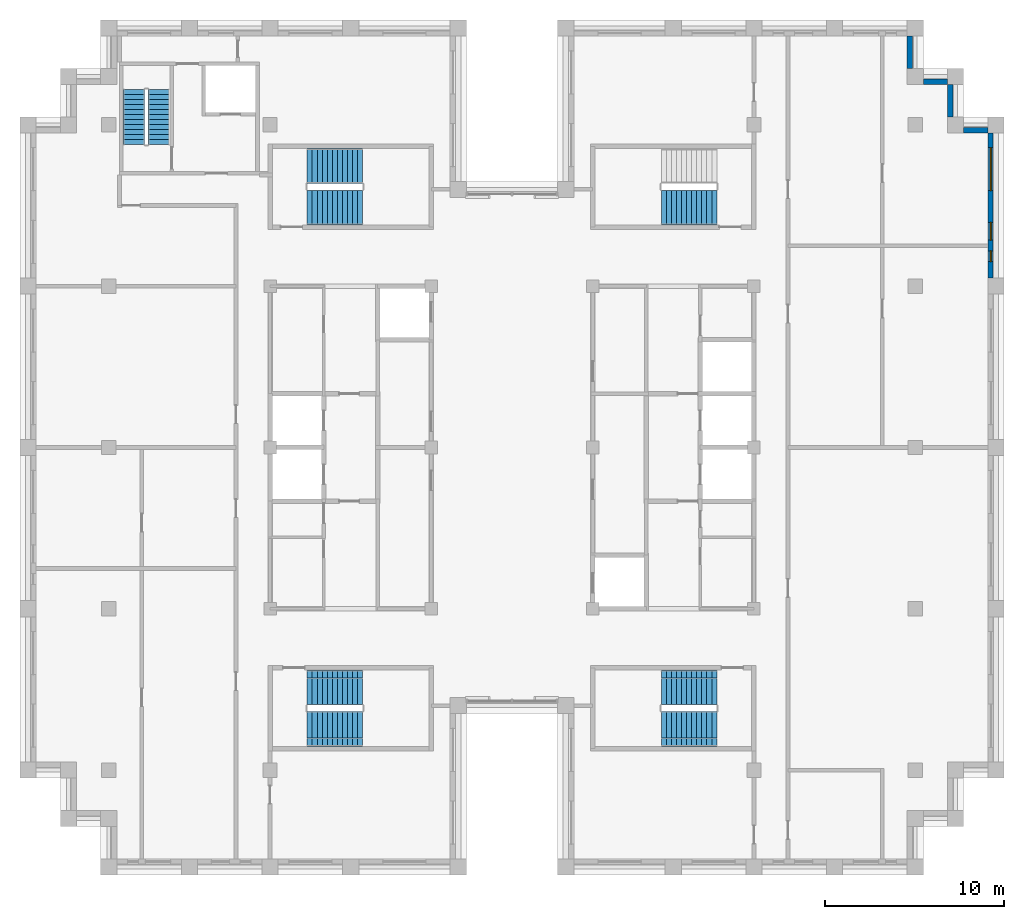
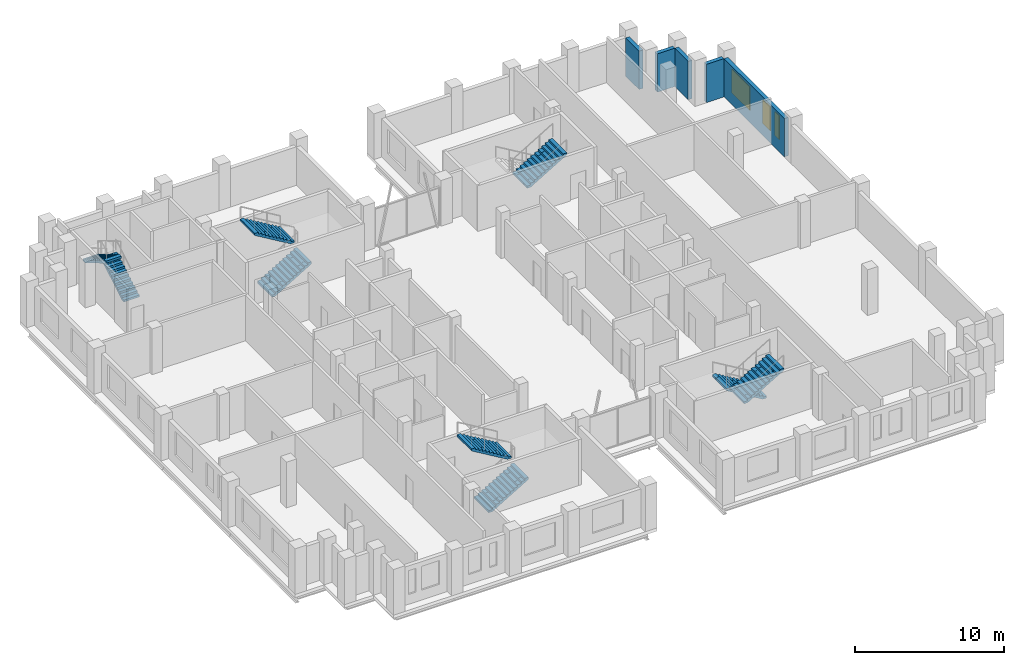
# One storey, part 11 of 13: 9 stair flights, 5 walls, 3 windows, 3 openings, 5 elements without a shape of their own.
"""IFC4 building model written with IfcOpenShell, lengths in metres."""

from ifc_helpers import new_model, si_unit, direction, frame, frame_2d, origin, place, context, subcontext, project, spatial, polyline, rectangle, outline, extrude, material, layer, layer_set, type_object, element, fill, aggregate, save


model = new_model("IFC4")

# Units and contexts
model_context = context("Model", 3, precision=1e-05, world=origin(), true_north=direction((0.0, 1.0)))
body_context = subcontext(model_context, "Body", "Model", "MODEL_VIEW")
ifc_project = project(units=[si_unit("LENGTHUNIT", "METRE"), si_unit("AREAUNIT", "SQUARE_METRE"), si_unit("VOLUMEUNIT", "CUBIC_METRE"), si_unit("PLANEANGLEUNIT", "RADIAN"), si_unit("MASSUNIT", "GRAM", prefix="KILO")], contexts=[model_context])

# Site, building, storey
site_placement = place(None, origin())
site = spatial("IfcSite", under=ifc_project, at=site_placement, CompositionType="ELEMENT")
building_placement = place(site_placement, origin())
building = spatial("IfcBuilding", under=site, at=building_placement, Name="Corbelhall Arena Tower", CompositionType="ELEMENT")
storey_placement = place(building_placement, frame((0.0, 0.0, 312.0)))
storey = spatial("IfcBuildingStorey", under=building, at=storey_placement, Name="L68", CompositionType="ELEMENT", Elevation=312.0)

# Wall, openings, windows
ifc_material_1 = material(Name="Precast concrete C40/50 with granite facing", Category="masonry")
ifc_layer = layer(ifc_material_1, 0.300048828125)
ifc_layer_set = layer_set([ifc_layer], Name="EV-IW1 Infill panel 300")
wall_type = type_object("IfcWallType", Name="EV-IW1 Infill panel 300", PredefinedType="SOLIDWALL", material=ifc_layer_set)
wall_1_placement = place(storey_placement, frame((26.699951171875, 9.449951171875, 0.0), z_axis=(0.0, 0.0, 1.0), x_axis=(0.0, 1.0, 0.0)))
wall_1 = element("IfcWall", 1, at=wall_1_placement, inside=storey, type_object=wall_type, Name="Infill panel IW1", PredefinedType="SOLIDWALL", context=body_context, shape_type="SweptSolid", body=[
    extrude(rectangle(XDim=8.10009765625, YDim=0.300048828125, at=frame_2d((4.050048828125, 0.0))), origin(), (0.0, 0.0, 1.0), 3.139892578125),
])
opening_1_placement = place(wall_1_placement, frame((4.875, 0.0, 0.800048828125)))
opening_1 = element("IfcOpeningElement", 2, at=opening_1_placement, cuts=wall_1, Name="Opening WN1", PredefinedType="OPENING", context=body_context, shape_type="SweptSolid", body=[
    extrude(rectangle(XDim=2.39990234375, YDim=1.949951171875, at=frame_2d((1.199951171875, 0.97509765625))), frame((0.0, 0.14990234375, 0.0), z_axis=(0.0, -1.0, 0.0), x_axis=(1.0, 0.0, 0.0)), (0.0, 0.0, 1.0), 0.300048828125),
])
opening_2_placement = place(wall_1_placement, frame((0.91259765625, 0.0, 0.800048828125)))
opening_2 = element("IfcOpeningElement", 3, at=opening_2_placement, cuts=wall_1, Name="Opening WN5", PredefinedType="OPENING", context=body_context, shape_type="SweptSolid", body=[
    extrude(rectangle(XDim=0.60009765625, YDim=1.949951171875, at=frame_2d((0.300048828125, 0.97509765625))), frame((0.0, 0.14990234375, 0.0), z_axis=(0.0, -1.0, 0.0), x_axis=(1.0, 0.0, 0.0)), (0.0, 0.0, 1.0), 0.300048828125),
])
opening_3_placement = place(wall_1_placement, frame((2.112548828125, 0.0, 0.800048828125)))
opening_3 = element("IfcOpeningElement", 4, at=opening_3_placement, cuts=wall_1, Name="Opening WN6", PredefinedType="OPENING", context=body_context, shape_type="SweptSolid", body=[
    extrude(rectangle(XDim=1.0, YDim=1.949951171875, at=frame_2d((0.5, 0.97509765625))), frame((0.0, 0.14990234375, 0.0), z_axis=(0.0, -1.0, 0.0), x_axis=(1.0, 0.0, 0.0)), (0.0, 0.0, 1.0), 0.300048828125),
])
ifc_material_2 = material(Name="Aluminium black anodised", Category="aluminium")
window_type_1 = type_object("IfcWindowType", Name="EV-WN1 Office window", PartitioningType="SINGLE_PANEL", PredefinedType="WINDOW", material=ifc_material_2)
window_1_placement = place(opening_1_placement, origin())
window_1 = element("IfcWindow", 5, at=window_1_placement, inside=storey, type_object=window_type_1, Name="Window WN1", OverallHeight=1.949951171875, OverallWidth=2.39990234375, PartitioningType="SINGLE_PANEL", PredefinedType="WINDOW", context=body_context, shape_type="SweptSolid", body=[
    extrude(rectangle(XDim=2.39990234375, YDim=1.949951171875, at=frame_2d((1.199951171875, 0.97509765625))), frame((0.0, 0.030029296875, 0.0), z_axis=(0.0, -1.0, 0.0), x_axis=(1.0, 0.0, 0.0)), (0.0, 0.0, 1.0), 0.06005859375),
])
fill(opening_1, window_1)
window_type_2 = type_object("IfcWindowType", Name="EV-WN5 Office window 600", PartitioningType="SINGLE_PANEL", PredefinedType="WINDOW", material=ifc_material_2)
window_2_placement = place(opening_2_placement, origin())
window_2 = element("IfcWindow", 6, at=window_2_placement, inside=storey, type_object=window_type_2, Name="Window WN5", OverallHeight=1.949951171875, OverallWidth=0.60009765625, PartitioningType="SINGLE_PANEL", PredefinedType="WINDOW", context=body_context, shape_type="SweptSolid", body=[
    extrude(rectangle(XDim=0.60009765625, YDim=1.949951171875, at=frame_2d((0.300048828125, 0.97509765625))), frame((0.0, 0.030029296875, 0.0), z_axis=(0.0, -1.0, 0.0), x_axis=(1.0, 0.0, 0.0)), (0.0, 0.0, 1.0), 0.06005859375),
])
fill(opening_2, window_2)
window_type_3 = type_object("IfcWindowType", Name="EV-WN6 Office window 1000", PartitioningType="SINGLE_PANEL", PredefinedType="WINDOW", material=ifc_material_2)
window_3_placement = place(opening_3_placement, origin())
window_3 = element("IfcWindow", 7, at=window_3_placement, inside=storey, type_object=window_type_3, Name="Window WN6", OverallHeight=1.949951171875, OverallWidth=1.0, PartitioningType="SINGLE_PANEL", PredefinedType="WINDOW", context=body_context, shape_type="SweptSolid", body=[
    extrude(rectangle(XDim=1.0, YDim=1.949951171875, at=frame_2d((0.5, 0.97509765625))), frame((0.0, 0.030029296875, 0.0), z_axis=(0.0, -1.0, 0.0), x_axis=(1.0, 0.0, 0.0)), (0.0, 0.0, 1.0), 0.06005859375),
])
fill(opening_3, window_3)

# Walls
wall_2_placement = place(storey_placement, frame((26.550048828125, 17.699951171875, 0.0), z_axis=(0.0, 0.0, 1.0), x_axis=(-1.0, 0.0, 0.0)))
element("IfcWall", 8, at=wall_2_placement, inside=storey, type_object=wall_type, Name="Infill panel IW1", PredefinedType="SOLIDWALL", context=body_context, shape_type="SweptSolid", body=[
    extrude(rectangle(XDim=1.35009765625, YDim=0.300048828125, at=frame_2d((0.675048828125, 0.0))), origin(), (0.0, 0.0, 1.0), 3.139892578125),
])
wall_3_placement = place(storey_placement, frame((24.449951171875, 18.449951171875, 0.0), z_axis=(0.0, 0.0, 1.0), x_axis=(0.0, 1.0, 0.0)))
element("IfcWall", 9, at=wall_3_placement, inside=storey, type_object=wall_type, Name="Infill panel IW1", PredefinedType="SOLIDWALL", context=body_context, shape_type="SweptSolid", body=[
    extrude(rectangle(XDim=1.800048828125, YDim=0.300048828125, at=frame_2d((0.89990234375, 0.0))), origin(), (0.0, 0.0, 1.0), 3.139892578125),
])
wall_4_placement = place(storey_placement, frame((24.300048828125, 20.39990234375, 0.0), z_axis=(0.0, 0.0, 1.0), x_axis=(-1.0, 0.0, 0.0)))
element("IfcWall", 10, at=wall_4_placement, inside=storey, type_object=wall_type, Name="Infill panel IW1", PredefinedType="SOLIDWALL", context=body_context, shape_type="SweptSolid", body=[
    extrude(rectangle(XDim=1.35009765625, YDim=0.300048828125, at=frame_2d((0.675048828125, 0.0))), origin(), (0.0, 0.0, 1.0), 3.139892578125),
])
wall_5_placement = place(storey_placement, frame((22.199951171875, 21.14990234375, 0.0), z_axis=(0.0, 0.0, 1.0), x_axis=(0.0, 1.0, 0.0)))
element("IfcWall", 11, at=wall_5_placement, inside=storey, type_object=wall_type, Name="Infill panel IW1", PredefinedType="SOLIDWALL", context=body_context, shape_type="SweptSolid", body=[
    extrude(rectangle(XDim=1.800048828125, YDim=0.300048828125, at=frame_2d((0.89990234375, 0.0))), origin(), (0.0, 0.0, 1.0), 3.139892578125),
])

# Stair, stair flights
ifc_material_3 = material(Name="Concrete C40/50", Category="concrete")
stair_type = type_object("IfcStairType", Name="IN-ST-TOWER", PredefinedType="HALF_TURN_STAIR", material=ifc_material_3)
stair_1_placement = place(storey_placement, origin())
stair_1 = element("IfcStair", 12, at=stair_1_placement, inside=storey, type_object=stair_type, Name="L68 Exit stair ST1", PredefinedType="HALF_TURN_STAIR")
stair_flight_type = type_object("IfcStairFlightType", Name="IN-SFL-RC", PredefinedType="STRAIGHT", material=ifc_material_3)
stair_flight_1_placement = place(storey_placement, frame((-11.425048828125, 13.39990234375, 0.0), z_axis=(0.0, 0.0, 1.0), x_axis=(1.0, 0.0, 0.0)))
stair_flight_1 = element("IfcStairFlight", 13, at=stair_flight_1_placement, type_object=stair_flight_type, Name="ST1 flight 1", NumberOfRisers=12, NumberOfTreads=11, PredefinedType="STRAIGHT", RiserHeight=0.166666667, TreadLength=0.28, context=body_context, shape_type="SweptSolid", body=[
    extrude(outline(polyline([(0.0, 0.0), (0.0, 0.166748046875), (0.280029296875, 0.166748046875), (0.280029296875, 0.333251953125), (0.56005859375, 0.333251953125), (0.56005859375, 0.5), (0.840087890625, 0.5), (0.840087890625, 0.666748046875), (1.1201171875, 0.666748046875), (1.1201171875, 0.833251953125), (1.39990234375, 0.833251953125), (1.39990234375, 1.0), (1.679931640625, 1.0), (1.679931640625, 1.166748046875), (1.9599609375, 1.166748046875), (1.9599609375, 1.333251953125), (2.239990234375, 1.333251953125), (2.239990234375, 1.5), (2.52001953125, 1.5), (2.52001953125, 1.666748046875), (2.800048828125, 1.666748046875), (2.800048828125, 1.833251953125), (3.080078125, 1.833251953125), (3.080078125, 2.0), (3.080078125, 1.658935546875), (0.29296875, 0.0), (0.0, 0.0)])), frame((0.0, 0.97509765625, 0.0), z_axis=(0.0, -1.0, 0.0), x_axis=(1.0, 0.0, 0.0)), (0.0, 0.0, 1.0), 0.449951171875),
    extrude(outline(polyline([(0.0, 0.0), (0.0, 0.166748046875), (0.280029296875, 0.166748046875), (0.280029296875, 0.333251953125), (0.56005859375, 0.333251953125), (0.56005859375, 0.5), (0.840087890625, 0.5), (0.840087890625, 0.666748046875), (1.1201171875, 0.666748046875), (1.1201171875, 0.833251953125), (1.39990234375, 0.833251953125), (1.39990234375, 1.0), (1.679931640625, 1.0), (1.679931640625, 1.166748046875), (1.9599609375, 1.166748046875), (1.9599609375, 1.333251953125), (2.239990234375, 1.333251953125), (2.239990234375, 1.5), (2.52001953125, 1.5), (2.52001953125, 1.666748046875), (2.800048828125, 1.666748046875), (2.800048828125, 1.833251953125), (3.080078125, 1.833251953125), (3.080078125, 2.0), (3.080078125, 1.658935546875), (0.29296875, 0.0), (0.0, 0.0)])), frame((0.0, 0.52099609375, 0.0), z_axis=(0.0, -1.0, 0.0), x_axis=(1.0, 0.0, 0.0)), (0.0, 0.0, 1.0), 1.0419921875),
    extrude(outline(polyline([(0.0, 0.0), (0.0, 0.166748046875), (0.280029296875, 0.166748046875), (0.280029296875, 0.333251953125), (0.56005859375, 0.333251953125), (0.56005859375, 0.5), (0.840087890625, 0.5), (0.840087890625, 0.666748046875), (1.1201171875, 0.666748046875), (1.1201171875, 0.833251953125), (1.39990234375, 0.833251953125), (1.39990234375, 1.0), (1.679931640625, 1.0), (1.679931640625, 1.166748046875), (1.9599609375, 1.166748046875), (1.9599609375, 1.333251953125), (2.239990234375, 1.333251953125), (2.239990234375, 1.5), (2.52001953125, 1.5), (2.52001953125, 1.666748046875), (2.800048828125, 1.666748046875), (2.800048828125, 1.833251953125), (3.080078125, 1.833251953125), (3.080078125, 2.0), (3.080078125, 1.658935546875), (0.29296875, 0.0), (0.0, 0.0)])), frame((0.0, -0.52490234375, 0.0), z_axis=(0.0, -1.0, 0.0), x_axis=(1.0, 0.0, 0.0)), (0.0, 0.0, 1.0), 0.449951171875),
])
stair_flight_2_placement = place(storey_placement, frame((-8.344970703125, 15.699951171875, 2.0), z_axis=(0.0, 0.0, 1.0), x_axis=(-1.0, 0.0, 0.0)))
stair_flight_2 = element("IfcStairFlight", 14, at=stair_flight_2_placement, type_object=stair_flight_type, Name="ST1 flight 2", NumberOfRisers=12, NumberOfTreads=11, PredefinedType="STRAIGHT", RiserHeight=0.166666667, TreadLength=0.28, context=body_context, shape_type="SweptSolid", body=[
    extrude(outline(polyline([(0.0, 0.0), (0.0, 0.166748046875), (0.280029296875, 0.166748046875), (0.280029296875, 0.333251953125), (0.56005859375, 0.333251953125), (0.56005859375, 0.5), (0.840087890625, 0.5), (0.840087890625, 0.666748046875), (1.1201171875, 0.666748046875), (1.1201171875, 0.833251953125), (1.39990234375, 0.833251953125), (1.39990234375, 1.0), (1.679931640625, 1.0), (1.679931640625, 1.166748046875), (1.9599609375, 1.166748046875), (1.9599609375, 1.333251953125), (2.239990234375, 1.333251953125), (2.239990234375, 1.5), (2.52001953125, 1.5), (2.52001953125, 1.666748046875), (2.800048828125, 1.666748046875), (2.800048828125, 1.833251953125), (3.080078125, 1.833251953125), (3.080078125, 2.0), (3.080078125, 1.658935546875), (0.29296875, 0.0), (0.0, 0.0)])), frame((0.0, 0.97509765625, 0.0), z_axis=(0.0, -1.0, 0.0), x_axis=(1.0, 0.0, 0.0)), (0.0, 0.0, 1.0), 0.449951171875),
    extrude(outline(polyline([(0.0, 0.0), (0.0, 0.166748046875), (0.280029296875, 0.166748046875), (0.280029296875, 0.333251953125), (0.56005859375, 0.333251953125), (0.56005859375, 0.5), (0.840087890625, 0.5), (0.840087890625, 0.666748046875), (1.1201171875, 0.666748046875), (1.1201171875, 0.833251953125), (1.39990234375, 0.833251953125), (1.39990234375, 1.0), (1.679931640625, 1.0), (1.679931640625, 1.166748046875), (1.9599609375, 1.166748046875), (1.9599609375, 1.333251953125), (2.239990234375, 1.333251953125), (2.239990234375, 1.5), (2.52001953125, 1.5), (2.52001953125, 1.666748046875), (2.800048828125, 1.666748046875), (2.800048828125, 1.833251953125), (3.080078125, 1.833251953125), (3.080078125, 2.0), (3.080078125, 1.658935546875), (0.29296875, 0.0), (0.0, 0.0)])), frame((0.0, 0.52099609375, 0.0), z_axis=(0.0, -1.0, 0.0), x_axis=(1.0, 0.0, 0.0)), (0.0, 0.0, 1.0), 1.0419921875),
    extrude(outline(polyline([(0.0, 0.0), (0.0, 0.166748046875), (0.280029296875, 0.166748046875), (0.280029296875, 0.333251953125), (0.56005859375, 0.333251953125), (0.56005859375, 0.5), (0.840087890625, 0.5), (0.840087890625, 0.666748046875), (1.1201171875, 0.666748046875), (1.1201171875, 0.833251953125), (1.39990234375, 0.833251953125), (1.39990234375, 1.0), (1.679931640625, 1.0), (1.679931640625, 1.166748046875), (1.9599609375, 1.166748046875), (1.9599609375, 1.333251953125), (2.239990234375, 1.333251953125), (2.239990234375, 1.5), (2.52001953125, 1.5), (2.52001953125, 1.666748046875), (2.800048828125, 1.666748046875), (2.800048828125, 1.833251953125), (3.080078125, 1.833251953125), (3.080078125, 2.0), (3.080078125, 1.658935546875), (0.29296875, 0.0), (0.0, 0.0)])), frame((0.0, -0.52490234375, 0.0), z_axis=(0.0, -1.0, 0.0), x_axis=(1.0, 0.0, 0.0)), (0.0, 0.0, 1.0), 0.449951171875),
])
aggregate(stair_1, [stair_flight_1, stair_flight_2])

stair_2_placement = place(storey_placement, origin())
stair_2 = element("IfcStair", 15, at=stair_2_placement, inside=storey, type_object=stair_type, Name="L68 Exit stair ST2", PredefinedType="HALF_TURN_STAIR")
stair_flight_3_placement = place(storey_placement, frame((-11.425048828125, -15.699951171875, 0.0), z_axis=(0.0, 0.0, 1.0), x_axis=(1.0, 0.0, 0.0)))
stair_flight_3 = element("IfcStairFlight", 16, at=stair_flight_3_placement, type_object=stair_flight_type, Name="ST2 flight 1", NumberOfRisers=12, NumberOfTreads=11, PredefinedType="STRAIGHT", RiserHeight=0.166666667, TreadLength=0.28, context=body_context, shape_type="SweptSolid", body=[
    extrude(outline(polyline([(0.0, 0.0), (0.0, 0.166748046875), (0.280029296875, 0.166748046875), (0.280029296875, 0.333251953125), (0.56005859375, 0.333251953125), (0.56005859375, 0.5), (0.840087890625, 0.5), (0.840087890625, 0.666748046875), (1.1201171875, 0.666748046875), (1.1201171875, 0.833251953125), (1.39990234375, 0.833251953125), (1.39990234375, 1.0), (1.679931640625, 1.0), (1.679931640625, 1.166748046875), (1.9599609375, 1.166748046875), (1.9599609375, 1.333251953125), (2.239990234375, 1.333251953125), (2.239990234375, 1.5), (2.52001953125, 1.5), (2.52001953125, 1.666748046875), (2.800048828125, 1.666748046875), (2.800048828125, 1.833251953125), (3.080078125, 1.833251953125), (3.080078125, 2.0), (3.080078125, 1.658935546875), (0.29296875, 0.0), (0.0, 0.0)])), frame((0.0, 0.97509765625, 0.0), z_axis=(0.0, -1.0, 0.0), x_axis=(1.0, 0.0, 0.0)), (0.0, 0.0, 1.0), 0.449951171875),
    extrude(outline(polyline([(0.0, 0.0), (0.0, 0.166748046875), (0.280029296875, 0.166748046875), (0.280029296875, 0.333251953125), (0.56005859375, 0.333251953125), (0.56005859375, 0.5), (0.840087890625, 0.5), (0.840087890625, 0.666748046875), (1.1201171875, 0.666748046875), (1.1201171875, 0.833251953125), (1.39990234375, 0.833251953125), (1.39990234375, 1.0), (1.679931640625, 1.0), (1.679931640625, 1.166748046875), (1.9599609375, 1.166748046875), (1.9599609375, 1.333251953125), (2.239990234375, 1.333251953125), (2.239990234375, 1.5), (2.52001953125, 1.5), (2.52001953125, 1.666748046875), (2.800048828125, 1.666748046875), (2.800048828125, 1.833251953125), (3.080078125, 1.833251953125), (3.080078125, 2.0), (3.080078125, 1.658935546875), (0.29296875, 0.0), (0.0, 0.0)])), frame((0.0, 0.52099609375, 0.0), z_axis=(0.0, -1.0, 0.0), x_axis=(1.0, 0.0, 0.0)), (0.0, 0.0, 1.0), 1.0419921875),
    extrude(outline(polyline([(0.0, 0.0), (0.0, 0.166748046875), (0.280029296875, 0.166748046875), (0.280029296875, 0.333251953125), (0.56005859375, 0.333251953125), (0.56005859375, 0.5), (0.840087890625, 0.5), (0.840087890625, 0.666748046875), (1.1201171875, 0.666748046875), (1.1201171875, 0.833251953125), (1.39990234375, 0.833251953125), (1.39990234375, 1.0), (1.679931640625, 1.0), (1.679931640625, 1.166748046875), (1.9599609375, 1.166748046875), (1.9599609375, 1.333251953125), (2.239990234375, 1.333251953125), (2.239990234375, 1.5), (2.52001953125, 1.5), (2.52001953125, 1.666748046875), (2.800048828125, 1.666748046875), (2.800048828125, 1.833251953125), (3.080078125, 1.833251953125), (3.080078125, 2.0), (3.080078125, 1.658935546875), (0.29296875, 0.0), (0.0, 0.0)])), frame((0.0, -0.52490234375, 0.0), z_axis=(0.0, -1.0, 0.0), x_axis=(1.0, 0.0, 0.0)), (0.0, 0.0, 1.0), 0.449951171875),
])
stair_flight_4_placement = place(storey_placement, frame((-8.344970703125, -13.39990234375, 2.0), z_axis=(0.0, 0.0, 1.0), x_axis=(-1.0, 0.0, 0.0)))
stair_flight_4 = element("IfcStairFlight", 17, at=stair_flight_4_placement, type_object=stair_flight_type, Name="ST2 flight 2", NumberOfRisers=12, NumberOfTreads=11, PredefinedType="STRAIGHT", RiserHeight=0.166666667, TreadLength=0.28, context=body_context, shape_type="SweptSolid", body=[
    extrude(outline(polyline([(0.0, 0.0), (0.0, 0.166748046875), (0.280029296875, 0.166748046875), (0.280029296875, 0.333251953125), (0.56005859375, 0.333251953125), (0.56005859375, 0.5), (0.840087890625, 0.5), (0.840087890625, 0.666748046875), (1.1201171875, 0.666748046875), (1.1201171875, 0.833251953125), (1.39990234375, 0.833251953125), (1.39990234375, 1.0), (1.679931640625, 1.0), (1.679931640625, 1.166748046875), (1.9599609375, 1.166748046875), (1.9599609375, 1.333251953125), (2.239990234375, 1.333251953125), (2.239990234375, 1.5), (2.52001953125, 1.5), (2.52001953125, 1.666748046875), (2.800048828125, 1.666748046875), (2.800048828125, 1.833251953125), (3.080078125, 1.833251953125), (3.080078125, 2.0), (3.080078125, 1.658935546875), (0.29296875, 0.0), (0.0, 0.0)])), frame((0.0, 0.97509765625, 0.0), z_axis=(0.0, -1.0, 0.0), x_axis=(1.0, 0.0, 0.0)), (0.0, 0.0, 1.0), 0.449951171875),
    extrude(outline(polyline([(0.0, 0.0), (0.0, 0.166748046875), (0.280029296875, 0.166748046875), (0.280029296875, 0.333251953125), (0.56005859375, 0.333251953125), (0.56005859375, 0.5), (0.840087890625, 0.5), (0.840087890625, 0.666748046875), (1.1201171875, 0.666748046875), (1.1201171875, 0.833251953125), (1.39990234375, 0.833251953125), (1.39990234375, 1.0), (1.679931640625, 1.0), (1.679931640625, 1.166748046875), (1.9599609375, 1.166748046875), (1.9599609375, 1.333251953125), (2.239990234375, 1.333251953125), (2.239990234375, 1.5), (2.52001953125, 1.5), (2.52001953125, 1.666748046875), (2.800048828125, 1.666748046875), (2.800048828125, 1.833251953125), (3.080078125, 1.833251953125), (3.080078125, 2.0), (3.080078125, 1.658935546875), (0.29296875, 0.0), (0.0, 0.0)])), frame((0.0, 0.52099609375, 0.0), z_axis=(0.0, -1.0, 0.0), x_axis=(1.0, 0.0, 0.0)), (0.0, 0.0, 1.0), 1.0419921875),
    extrude(outline(polyline([(0.0, 0.0), (0.0, 0.166748046875), (0.280029296875, 0.166748046875), (0.280029296875, 0.333251953125), (0.56005859375, 0.333251953125), (0.56005859375, 0.5), (0.840087890625, 0.5), (0.840087890625, 0.666748046875), (1.1201171875, 0.666748046875), (1.1201171875, 0.833251953125), (1.39990234375, 0.833251953125), (1.39990234375, 1.0), (1.679931640625, 1.0), (1.679931640625, 1.166748046875), (1.9599609375, 1.166748046875), (1.9599609375, 1.333251953125), (2.239990234375, 1.333251953125), (2.239990234375, 1.5), (2.52001953125, 1.5), (2.52001953125, 1.666748046875), (2.800048828125, 1.666748046875), (2.800048828125, 1.833251953125), (3.080078125, 1.833251953125), (3.080078125, 2.0), (3.080078125, 1.658935546875), (0.29296875, 0.0), (0.0, 0.0)])), frame((0.0, -0.52490234375, 0.0), z_axis=(0.0, -1.0, 0.0), x_axis=(1.0, 0.0, 0.0)), (0.0, 0.0, 1.0), 0.449951171875),
])
aggregate(stair_2, [stair_flight_3, stair_flight_4])

# Stair, stair flight
stair_3_placement = place(storey_placement, origin())
stair_3 = element("IfcStair", 18, at=stair_3_placement, inside=storey, type_object=stair_type, Name="L68 Exit stair ST3", PredefinedType="HALF_TURN_STAIR")
stair_flight_5_placement = place(storey_placement, frame((8.344970703125, 13.39990234375, 2.0), z_axis=(0.0, 0.0, 1.0), x_axis=(1.0, 0.0, 0.0)))
stair_flight_5 = element("IfcStairFlight", 19, at=stair_flight_5_placement, type_object=stair_flight_type, Name="ST3 flight 2", NumberOfRisers=12, NumberOfTreads=11, PredefinedType="STRAIGHT", RiserHeight=0.166666667, TreadLength=0.28, context=body_context, shape_type="SweptSolid", body=[
    extrude(outline(polyline([(0.0, 0.0), (0.0, 0.166748046875), (0.280029296875, 0.166748046875), (0.280029296875, 0.333251953125), (0.56005859375, 0.333251953125), (0.56005859375, 0.5), (0.840087890625, 0.5), (0.840087890625, 0.666748046875), (1.1201171875, 0.666748046875), (1.1201171875, 0.833251953125), (1.39990234375, 0.833251953125), (1.39990234375, 1.0), (1.679931640625, 1.0), (1.679931640625, 1.166748046875), (1.9599609375, 1.166748046875), (1.9599609375, 1.333251953125), (2.239990234375, 1.333251953125), (2.239990234375, 1.5), (2.52001953125, 1.5), (2.52001953125, 1.666748046875), (2.800048828125, 1.666748046875), (2.800048828125, 1.833251953125), (3.080078125, 1.833251953125), (3.080078125, 2.0), (3.080078125, 1.658935546875), (0.29296875, 0.0), (0.0, 0.0)])), frame((0.0, 0.97509765625, 0.0), z_axis=(0.0, -1.0, 0.0), x_axis=(1.0, 0.0, 0.0)), (0.0, 0.0, 1.0), 0.449951171875),
    extrude(outline(polyline([(0.0, 0.0), (0.0, 0.166748046875), (0.280029296875, 0.166748046875), (0.280029296875, 0.333251953125), (0.56005859375, 0.333251953125), (0.56005859375, 0.5), (0.840087890625, 0.5), (0.840087890625, 0.666748046875), (1.1201171875, 0.666748046875), (1.1201171875, 0.833251953125), (1.39990234375, 0.833251953125), (1.39990234375, 1.0), (1.679931640625, 1.0), (1.679931640625, 1.166748046875), (1.9599609375, 1.166748046875), (1.9599609375, 1.333251953125), (2.239990234375, 1.333251953125), (2.239990234375, 1.5), (2.52001953125, 1.5), (2.52001953125, 1.666748046875), (2.800048828125, 1.666748046875), (2.800048828125, 1.833251953125), (3.080078125, 1.833251953125), (3.080078125, 2.0), (3.080078125, 1.658935546875), (0.29296875, 0.0), (0.0, 0.0)])), frame((0.0, 0.52099609375, 0.0), z_axis=(0.0, -1.0, 0.0), x_axis=(1.0, 0.0, 0.0)), (0.0, 0.0, 1.0), 1.0419921875),
    extrude(outline(polyline([(0.0, 0.0), (0.0, 0.166748046875), (0.280029296875, 0.166748046875), (0.280029296875, 0.333251953125), (0.56005859375, 0.333251953125), (0.56005859375, 0.5), (0.840087890625, 0.5), (0.840087890625, 0.666748046875), (1.1201171875, 0.666748046875), (1.1201171875, 0.833251953125), (1.39990234375, 0.833251953125), (1.39990234375, 1.0), (1.679931640625, 1.0), (1.679931640625, 1.166748046875), (1.9599609375, 1.166748046875), (1.9599609375, 1.333251953125), (2.239990234375, 1.333251953125), (2.239990234375, 1.5), (2.52001953125, 1.5), (2.52001953125, 1.666748046875), (2.800048828125, 1.666748046875), (2.800048828125, 1.833251953125), (3.080078125, 1.833251953125), (3.080078125, 2.0), (3.080078125, 1.658935546875), (0.29296875, 0.0), (0.0, 0.0)])), frame((0.0, -0.52490234375, 0.0), z_axis=(0.0, -1.0, 0.0), x_axis=(1.0, 0.0, 0.0)), (0.0, 0.0, 1.0), 0.449951171875),
])
aggregate(stair_3, [stair_flight_5])

# Stair, stair flights
stair_4_placement = place(storey_placement, origin())
stair_4 = element("IfcStair", 20, at=stair_4_placement, inside=storey, type_object=stair_type, Name="L68 Exit stair ST4", PredefinedType="HALF_TURN_STAIR")
stair_flight_6_placement = place(storey_placement, frame((11.425048828125, -13.39990234375, 0.0), z_axis=(0.0, 0.0, 1.0), x_axis=(-1.0, 0.0, 0.0)))
stair_flight_6 = element("IfcStairFlight", 21, at=stair_flight_6_placement, type_object=stair_flight_type, Name="ST4 flight 1", NumberOfRisers=12, NumberOfTreads=11, PredefinedType="STRAIGHT", RiserHeight=0.166666667, TreadLength=0.28, context=body_context, shape_type="SweptSolid", body=[
    extrude(outline(polyline([(0.0, 0.0), (0.0, 0.166748046875), (0.280029296875, 0.166748046875), (0.280029296875, 0.333251953125), (0.56005859375, 0.333251953125), (0.56005859375, 0.5), (0.840087890625, 0.5), (0.840087890625, 0.666748046875), (1.1201171875, 0.666748046875), (1.1201171875, 0.833251953125), (1.39990234375, 0.833251953125), (1.39990234375, 1.0), (1.679931640625, 1.0), (1.679931640625, 1.166748046875), (1.9599609375, 1.166748046875), (1.9599609375, 1.333251953125), (2.239990234375, 1.333251953125), (2.239990234375, 1.5), (2.52001953125, 1.5), (2.52001953125, 1.666748046875), (2.800048828125, 1.666748046875), (2.800048828125, 1.833251953125), (3.080078125, 1.833251953125), (3.080078125, 2.0), (3.080078125, 1.658935546875), (0.29296875, 0.0), (0.0, 0.0)])), frame((0.0, 0.97509765625, 0.0), z_axis=(0.0, -1.0, 0.0), x_axis=(1.0, 0.0, 0.0)), (0.0, 0.0, 1.0), 0.449951171875),
    extrude(outline(polyline([(0.0, 0.0), (0.0, 0.166748046875), (0.280029296875, 0.166748046875), (0.280029296875, 0.333251953125), (0.56005859375, 0.333251953125), (0.56005859375, 0.5), (0.840087890625, 0.5), (0.840087890625, 0.666748046875), (1.1201171875, 0.666748046875), (1.1201171875, 0.833251953125), (1.39990234375, 0.833251953125), (1.39990234375, 1.0), (1.679931640625, 1.0), (1.679931640625, 1.166748046875), (1.9599609375, 1.166748046875), (1.9599609375, 1.333251953125), (2.239990234375, 1.333251953125), (2.239990234375, 1.5), (2.52001953125, 1.5), (2.52001953125, 1.666748046875), (2.800048828125, 1.666748046875), (2.800048828125, 1.833251953125), (3.080078125, 1.833251953125), (3.080078125, 2.0), (3.080078125, 1.658935546875), (0.29296875, 0.0), (0.0, 0.0)])), frame((0.0, 0.52099609375, 0.0), z_axis=(0.0, -1.0, 0.0), x_axis=(1.0, 0.0, 0.0)), (0.0, 0.0, 1.0), 1.0419921875),
    extrude(outline(polyline([(0.0, 0.0), (0.0, 0.166748046875), (0.280029296875, 0.166748046875), (0.280029296875, 0.333251953125), (0.56005859375, 0.333251953125), (0.56005859375, 0.5), (0.840087890625, 0.5), (0.840087890625, 0.666748046875), (1.1201171875, 0.666748046875), (1.1201171875, 0.833251953125), (1.39990234375, 0.833251953125), (1.39990234375, 1.0), (1.679931640625, 1.0), (1.679931640625, 1.166748046875), (1.9599609375, 1.166748046875), (1.9599609375, 1.333251953125), (2.239990234375, 1.333251953125), (2.239990234375, 1.5), (2.52001953125, 1.5), (2.52001953125, 1.666748046875), (2.800048828125, 1.666748046875), (2.800048828125, 1.833251953125), (3.080078125, 1.833251953125), (3.080078125, 2.0), (3.080078125, 1.658935546875), (0.29296875, 0.0), (0.0, 0.0)])), frame((0.0, -0.52490234375, 0.0), z_axis=(0.0, -1.0, 0.0), x_axis=(1.0, 0.0, 0.0)), (0.0, 0.0, 1.0), 0.449951171875),
])
stair_flight_7_placement = place(storey_placement, frame((8.344970703125, -15.699951171875, 2.0), z_axis=(0.0, 0.0, 1.0), x_axis=(1.0, 0.0, 0.0)))
stair_flight_7 = element("IfcStairFlight", 22, at=stair_flight_7_placement, type_object=stair_flight_type, Name="ST4 flight 2", NumberOfRisers=12, NumberOfTreads=11, PredefinedType="STRAIGHT", RiserHeight=0.166666667, TreadLength=0.28, context=body_context, shape_type="SweptSolid", body=[
    extrude(outline(polyline([(0.0, 0.0), (0.0, 0.166748046875), (0.280029296875, 0.166748046875), (0.280029296875, 0.333251953125), (0.56005859375, 0.333251953125), (0.56005859375, 0.5), (0.840087890625, 0.5), (0.840087890625, 0.666748046875), (1.1201171875, 0.666748046875), (1.1201171875, 0.833251953125), (1.39990234375, 0.833251953125), (1.39990234375, 1.0), (1.679931640625, 1.0), (1.679931640625, 1.166748046875), (1.9599609375, 1.166748046875), (1.9599609375, 1.333251953125), (2.239990234375, 1.333251953125), (2.239990234375, 1.5), (2.52001953125, 1.5), (2.52001953125, 1.666748046875), (2.800048828125, 1.666748046875), (2.800048828125, 1.833251953125), (3.080078125, 1.833251953125), (3.080078125, 2.0), (3.080078125, 1.658935546875), (0.29296875, 0.0), (0.0, 0.0)])), frame((0.0, 0.97509765625, 0.0), z_axis=(0.0, -1.0, 0.0), x_axis=(1.0, 0.0, 0.0)), (0.0, 0.0, 1.0), 0.449951171875),
    extrude(outline(polyline([(0.0, 0.0), (0.0, 0.166748046875), (0.280029296875, 0.166748046875), (0.280029296875, 0.333251953125), (0.56005859375, 0.333251953125), (0.56005859375, 0.5), (0.840087890625, 0.5), (0.840087890625, 0.666748046875), (1.1201171875, 0.666748046875), (1.1201171875, 0.833251953125), (1.39990234375, 0.833251953125), (1.39990234375, 1.0), (1.679931640625, 1.0), (1.679931640625, 1.166748046875), (1.9599609375, 1.166748046875), (1.9599609375, 1.333251953125), (2.239990234375, 1.333251953125), (2.239990234375, 1.5), (2.52001953125, 1.5), (2.52001953125, 1.666748046875), (2.800048828125, 1.666748046875), (2.800048828125, 1.833251953125), (3.080078125, 1.833251953125), (3.080078125, 2.0), (3.080078125, 1.658935546875), (0.29296875, 0.0), (0.0, 0.0)])), frame((0.0, 0.52099609375, 0.0), z_axis=(0.0, -1.0, 0.0), x_axis=(1.0, 0.0, 0.0)), (0.0, 0.0, 1.0), 1.0419921875),
    extrude(outline(polyline([(0.0, 0.0), (0.0, 0.166748046875), (0.280029296875, 0.166748046875), (0.280029296875, 0.333251953125), (0.56005859375, 0.333251953125), (0.56005859375, 0.5), (0.840087890625, 0.5), (0.840087890625, 0.666748046875), (1.1201171875, 0.666748046875), (1.1201171875, 0.833251953125), (1.39990234375, 0.833251953125), (1.39990234375, 1.0), (1.679931640625, 1.0), (1.679931640625, 1.166748046875), (1.9599609375, 1.166748046875), (1.9599609375, 1.333251953125), (2.239990234375, 1.333251953125), (2.239990234375, 1.5), (2.52001953125, 1.5), (2.52001953125, 1.666748046875), (2.800048828125, 1.666748046875), (2.800048828125, 1.833251953125), (3.080078125, 1.833251953125), (3.080078125, 2.0), (3.080078125, 1.658935546875), (0.29296875, 0.0), (0.0, 0.0)])), frame((0.0, -0.52490234375, 0.0), z_axis=(0.0, -1.0, 0.0), x_axis=(1.0, 0.0, 0.0)), (0.0, 0.0, 1.0), 0.449951171875),
])
aggregate(stair_4, [stair_flight_6, stair_flight_7])

stair_5_placement = place(storey_placement, origin())
stair_5 = element("IfcStair", 23, at=stair_5_placement, inside=storey, type_object=stair_type, Name="L68 Exit stair ST5", PredefinedType="HALF_TURN_STAIR")
stair_flight_8_placement = place(storey_placement, frame((-19.695068359375, 16.89990234375, 0.0), z_axis=(0.0, 0.0, 1.0), x_axis=(0.0, 1.0, 0.0)))
stair_flight_8 = element("IfcStairFlight", 24, at=stair_flight_8_placement, type_object=stair_flight_type, Name="ST5 flight 1", NumberOfRisers=12, NumberOfTreads=11, PredefinedType="STRAIGHT", RiserHeight=0.166666667, TreadLength=0.28, context=body_context, shape_type="SweptSolid", body=[
    extrude(outline(polyline([(0.0, 0.0), (0.0, 0.166748046875), (0.280029296875, 0.166748046875), (0.280029296875, 0.333251953125), (0.56005859375, 0.333251953125), (0.56005859375, 0.5), (0.840087890625, 0.5), (0.840087890625, 0.666748046875), (1.1201171875, 0.666748046875), (1.1201171875, 0.833251953125), (1.39990234375, 0.833251953125), (1.39990234375, 1.0), (1.679931640625, 1.0), (1.679931640625, 1.166748046875), (1.9599609375, 1.166748046875), (1.9599609375, 1.333251953125), (2.239990234375, 1.333251953125), (2.239990234375, 1.5), (2.52001953125, 1.5), (2.52001953125, 1.666748046875), (2.800048828125, 1.666748046875), (2.800048828125, 1.833251953125), (3.080078125, 1.833251953125), (3.080078125, 2.0), (3.080078125, 1.658935546875), (0.29296875, 0.0), (0.0, 0.0)])), frame((0.0, 0.60009765625, 0.0), z_axis=(0.0, -1.0, 0.0), x_axis=(1.0, 0.0, 0.0)), (0.0, 0.0, 1.0), 1.199951171875),
])
stair_flight_9_placement = place(storey_placement, frame((-21.094970703125, 19.97998046875, 2.0), z_axis=(0.0, 0.0, 1.0), x_axis=(0.0, -1.0, 0.0)))
stair_flight_9 = element("IfcStairFlight", 25, at=stair_flight_9_placement, type_object=stair_flight_type, Name="ST5 flight 2", NumberOfRisers=12, NumberOfTreads=11, PredefinedType="STRAIGHT", RiserHeight=0.166666667, TreadLength=0.28, context=body_context, shape_type="SweptSolid", body=[
    extrude(outline(polyline([(0.0, 0.0), (0.0, 0.166748046875), (0.280029296875, 0.166748046875), (0.280029296875, 0.333251953125), (0.56005859375, 0.333251953125), (0.56005859375, 0.5), (0.840087890625, 0.5), (0.840087890625, 0.666748046875), (1.1201171875, 0.666748046875), (1.1201171875, 0.833251953125), (1.39990234375, 0.833251953125), (1.39990234375, 1.0), (1.679931640625, 1.0), (1.679931640625, 1.166748046875), (1.9599609375, 1.166748046875), (1.9599609375, 1.333251953125), (2.239990234375, 1.333251953125), (2.239990234375, 1.5), (2.52001953125, 1.5), (2.52001953125, 1.666748046875), (2.800048828125, 1.666748046875), (2.800048828125, 1.833251953125), (3.080078125, 1.833251953125), (3.080078125, 2.0), (3.080078125, 1.658935546875), (0.29296875, 0.0), (0.0, 0.0)])), frame((0.0, 0.60009765625, 0.0), z_axis=(0.0, -1.0, 0.0), x_axis=(1.0, 0.0, 0.0)), (0.0, 0.0, 1.0), 1.199951171875),
])
aggregate(stair_5, [stair_flight_8, stair_flight_9])

save(model, "model.ifc")
